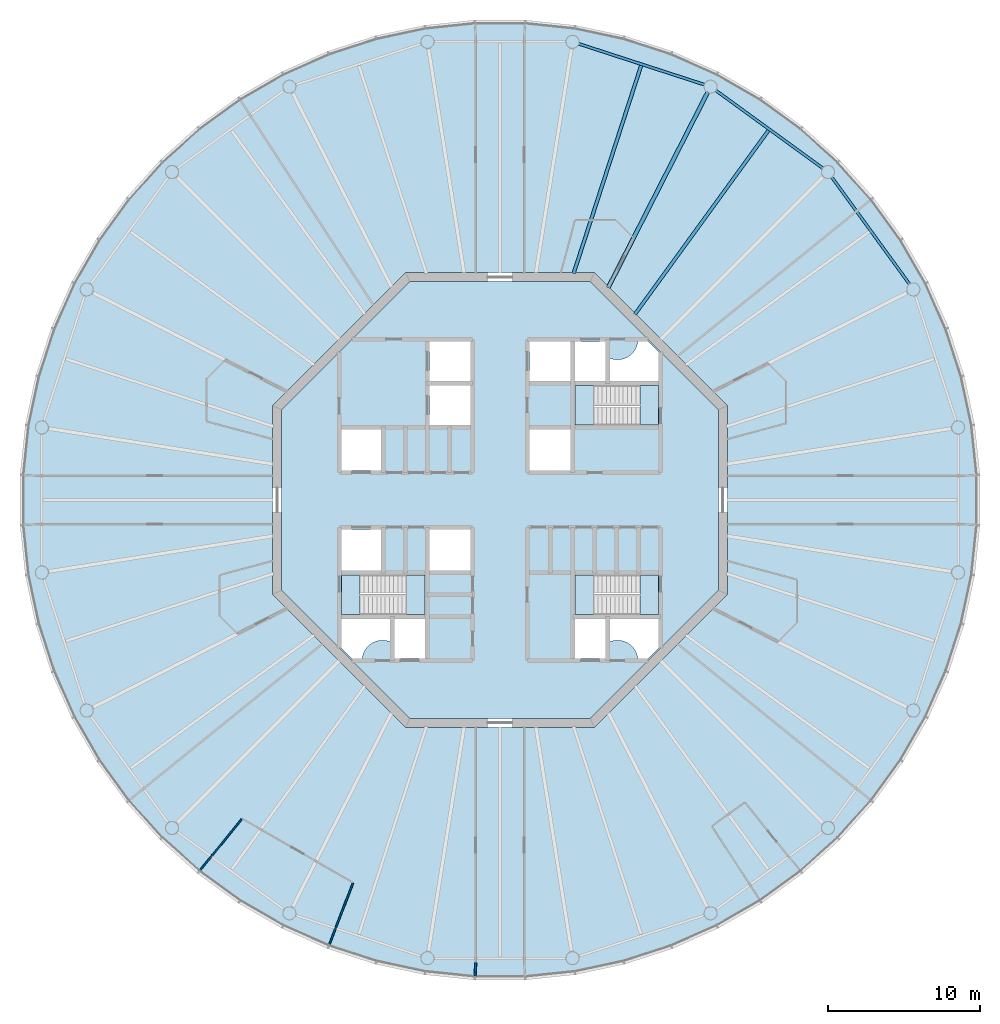
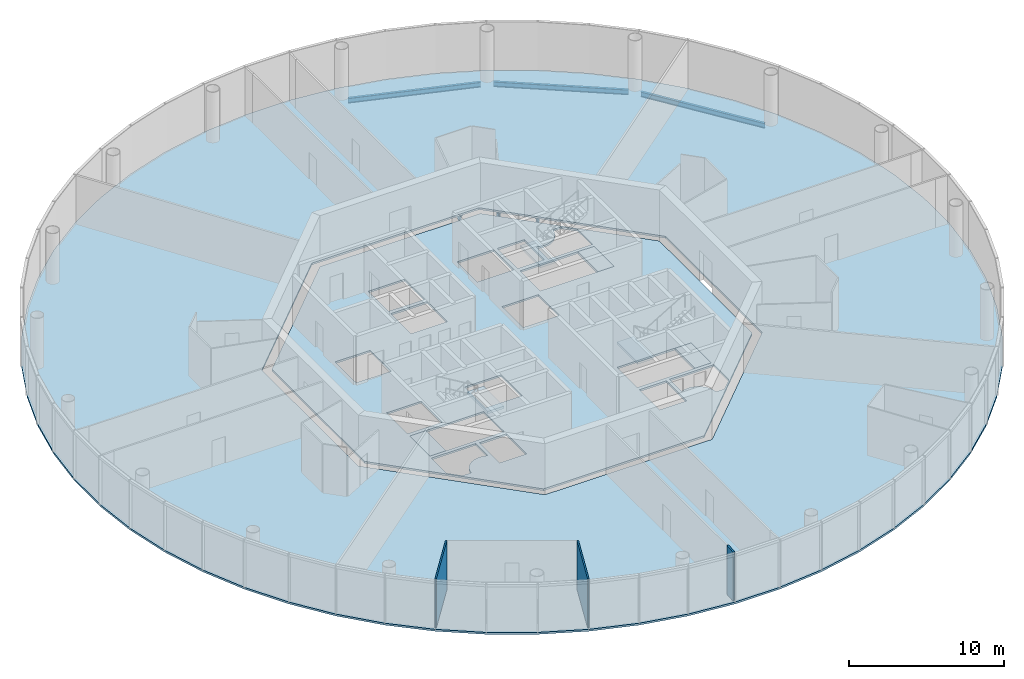
# One storey, part 2 of 13: 8 slabs, 6 beams, 3 walls, 3 elements without a shape of their own.
"""IFC4 building model written with IfcOpenShell, lengths in metres."""

from ifc_helpers import new_model, si_unit, direction, frame, frame_2d, origin, origin_2d, place, context, subcontext, project, spatial, polyline, rectangle, i_section, outline, extrude, material, layer, layer_set, material_profile, profile_set, type_object, element, aggregate, save


model = new_model("IFC4")

# Units and contexts
model_context = context("Model", 3, precision=1e-05, world=origin(), true_north=direction((0.0, 1.0)))
body_context = subcontext(model_context, "Body", "Model", "MODEL_VIEW")
ifc_project = project(units=[si_unit("LENGTHUNIT", "METRE"), si_unit("AREAUNIT", "SQUARE_METRE"), si_unit("VOLUMEUNIT", "CUBIC_METRE"), si_unit("PLANEANGLEUNIT", "RADIAN"), si_unit("MASSUNIT", "GRAM", prefix="KILO")], contexts=[model_context])

# Site, building, storey
site_placement = place(None, origin())
site = spatial("IfcSite", under=ifc_project, at=site_placement, CompositionType="ELEMENT")
building_placement = place(site_placement, origin())
building = spatial("IfcBuilding", under=site, at=building_placement, Name="Entoto Ring Tower", CompositionType="ELEMENT")
storey_placement = place(building_placement, frame((0.0, 0.0, 344.0)))
storey = spatial("IfcBuildingStorey", under=building, at=storey_placement, Name="L79", CompositionType="ELEMENT", Elevation=344.0)

# Beams
ifc_material_1 = material(Name="Steel S355", Category="steel")
ifc_material_profile_1 = material_profile(ifc_material_1, i_section(OverallWidth=0.179931640625, OverallDepth=0.39990234375, WebThickness=0.008544921875, FlangeThickness=0.013427734375, FilletRadius=0.02099609375, at=origin_2d()), Name="IPE 400")
ifc_profile_set_1 = profile_set([ifc_material_profile_1], Name="Steel S355")
beam_type_1 = type_object("IfcBeamType", Name="Edge beam IPE 400", PredefinedType="SPANDREL", material=ifc_profile_set_1)
for number, where, z_axis, x_axis, name in (
    (1, (117.017333984375, 94.232666015625, -0.35009765625), (-0.587794254874, 0.80901045354, 0.0), (-0.80901045354, -0.587794254874, 0.0), "Edge beam L79 02"),
    (2, (111.296875, 101.884765625, -0.35009765625), (-0.80901045354, 0.587794254874, 0.0), (-0.587794254874, -0.80901045354, 0.0), "Edge beam L79 03"),
):
    element("IfcBeam", number, at=place(storey_placement, frame(where, z_axis=z_axis, x_axis=x_axis)), inside=storey, type_object=beam_type_1, Name=name, PredefinedType="SPANDREL", context=body_context, shape_type="SweptSolid", body=[
        extrude(i_section(OverallWidth=0.179931640625, OverallDepth=0.39990234375, WebThickness=0.008544921875, FlangeThickness=0.013427734375, FilletRadius=0.02099609375, at=origin_2d()), origin(), (0.0, 0.0, 1.0), 8.73193359375),
    ])
beam_1_placement = place(storey_placement, frame((103.491943359375, 107.394775390625, -0.35009765625), z_axis=(-0.951052147972, 0.309030438368, 0.0), x_axis=(-0.309030438368, -0.951052147972, 0.0)))
element("IfcBeam", 3, at=beam_1_placement, inside=storey, type_object=beam_type_1, Name="Edge beam L79 04", PredefinedType="SPANDREL", context=body_context, shape_type="SweptSolid", body=[
    extrude(i_section(OverallWidth=0.179931640625, OverallDepth=0.39990234375, WebThickness=0.008544921875, FlangeThickness=0.013427734375, FilletRadius=0.02099609375, at=origin_2d()), origin(), (0.0, 0.0, 1.0), 8.732177734375),
])
ifc_material_2 = material(Name="Steel S355", Category="steel")
ifc_material_profile_2 = material_profile(ifc_material_2, i_section(OverallWidth=0.262939453125, OverallDepth=0.7529296875, WebThickness=0.011474609375, FlangeThickness=0.01708984375, FilletRadius=0.01708984375, at=origin_2d()), Name="IPE 750 x 137")
ifc_profile_set_2 = profile_set([ifc_material_profile_2], Name="Steel S355")
beam_type_2 = type_object("IfcBeamType", Name="Primary floor beam IPE 750 x 137", PredefinedType="BEAM", material=ifc_profile_set_2)
beam_2_placement = place(storey_placement, frame((97.1318359375, 93.9970703125, -0.526611328125), z_axis=(0.453991952968, 0.89100578373, 0.0), x_axis=(-0.89100578373, 0.453991952968, 0.0)))
element("IfcBeam", 4, at=beam_2_placement, inside=storey, type_object=beam_type_2, Name="Primary L79 R04", PredefinedType="BEAM", context=body_context, shape_type="SweptSolid", body=[
    extrude(i_section(OverallWidth=0.262939453125, OverallDepth=0.7529296875, WebThickness=0.011474609375, FlangeThickness=0.01708984375, FilletRadius=0.01708984375, at=origin_2d()), origin(), (0.0, 0.0, 1.0), 14.48046875),
])
ifc_material_3 = material(Name="Steel S355", Category="steel")
ifc_material_profile_3 = material_profile(ifc_material_3, i_section(OverallWidth=0.219970703125, OverallDepth=0.60009765625, WebThickness=0.011962890625, FlangeThickness=0.01904296875, FilletRadius=0.02392578125, at=origin_2d()), Name="IPE 600")
ifc_profile_set_3 = profile_set([ifc_material_profile_3], Name="Steel S355")
beam_type_3 = type_object("IfcBeamType", Name="Secondary floor beam IPE 600", PredefinedType="JOIST", material=ifc_profile_set_3)
beam_3_placement = place(storey_placement, frame((98.90478515625, 92.25634765625, -0.449951171875), z_axis=(0.587782163866, 0.809019238239, 0.0), x_axis=(-0.809019238239, 0.587782163866, 0.0)))
element("IfcBeam", 5, at=beam_3_placement, inside=storey, type_object=beam_type_3, Name="Secondary beam L79 03", PredefinedType="JOIST", context=body_context, shape_type="SweptSolid", body=[
    extrude(i_section(OverallWidth=0.219970703125, OverallDepth=0.60009765625, WebThickness=0.011962890625, FlangeThickness=0.01904296875, FilletRadius=0.02392578125, at=origin_2d()), origin(), (0.0, 0.0, 1.0), 14.983642578125),
])
beam_4_placement = place(storey_placement, frame((94.856689453125, 94.947021484375, -0.449951171875), z_axis=(0.309014850288, 0.951057212949, 0.0), x_axis=(-0.951057212949, 0.309014850288, 0.0)))
element("IfcBeam", 6, at=beam_4_placement, inside=storey, type_object=beam_type_3, Name="Secondary beam L79 04", PredefinedType="JOIST", context=body_context, shape_type="SweptSolid", body=[
    extrude(i_section(OverallWidth=0.219970703125, OverallDepth=0.60009765625, WebThickness=0.011962890625, FlangeThickness=0.01904296875, FilletRadius=0.02392578125, at=origin_2d()), origin(), (0.0, 0.0, 1.0), 14.4169921875),
])

# Slabs
ifc_material_4 = material(Name="Concrete C30/37", Category="concrete")
ifc_layer_1 = layer(ifc_material_4, 0.14990234375)
ifc_layer_set_1 = layer_set([ifc_layer_1], Name="Concrete C30/37")
slab_type_1 = type_object("IfcSlabType", Name="Composite floor slab 150 mm", PredefinedType="FLOOR", material=ifc_layer_set_1)
slab_1_placement = place(storey_placement, frame((0.0, 0.0, -0.14990234375)))
element("IfcSlab", 7, at=slab_1_placement, inside=storey, type_object=slab_type_1, Name="Floor slab L79", PredefinedType="FLOOR", context=body_context, shape_type="SweptSolid", body=[
    extrude(outline(polyline([(121.2109375, 84.943359375), (120.523193359375, 88.1787109375), (119.501220703125, 91.324462890625), (118.15576171875, 94.34619140625), (116.501953125, 97.210693359375), (114.557861328125, 99.886474609375), (112.344482421875, 102.344482421875), (109.886474609375, 104.557861328125), (107.210693359375, 106.501953125), (104.34619140625, 108.15576171875), (101.324462890625, 109.501220703125), (98.1787109375, 110.523193359375), (94.943359375, 111.2109375), (91.65380859375, 111.556640625), (88.34619140625, 111.556640625), (85.056640625, 111.2109375), (81.8212890625, 110.523193359375), (78.675537109375, 109.501220703125), (75.65380859375, 108.15576171875), (72.789306640625, 106.501953125), (70.113525390625, 104.557861328125), (67.655517578125, 102.344482421875), (65.442138671875, 99.886474609375), (63.498046875, 97.210693359375), (61.84423828125, 94.34619140625), (60.498779296875, 91.324462890625), (59.476806640625, 88.1787109375), (58.7890625, 84.943359375), (58.443359375, 81.65380859375), (58.443359375, 78.34619140625), (58.7890625, 75.056640625), (59.476806640625, 71.8212890625), (60.498779296875, 68.675537109375), (61.84423828125, 65.65380859375), (63.498046875, 62.789306640625), (65.442138671875, 60.113525390625), (67.655517578125, 57.655517578125), (70.113525390625, 55.442138671875), (72.789306640625, 53.498046875), (75.65380859375, 51.84423828125), (78.675537109375, 50.498779296875), (81.8212890625, 49.476806640625), (85.056640625, 48.7890625), (88.34619140625, 48.443359375), (91.65380859375, 48.443359375), (94.943359375, 48.7890625), (98.1787109375, 49.476806640625), (101.324462890625, 50.498779296875), (104.34619140625, 51.84423828125), (107.210693359375, 53.498046875), (109.886474609375, 55.442138671875), (112.344482421875, 57.655517578125), (114.557861328125, 60.113525390625), (116.501953125, 62.789306640625), (118.15576171875, 65.65380859375), (119.501220703125, 68.675537109375), (120.523193359375, 71.8212890625), (121.2109375, 75.056640625), (121.556640625, 78.34619140625), (121.556640625, 81.65380859375), (121.2109375, 84.943359375)]), holes=[polyline([(105.0, 73.786865234375), (105.0, 86.213134765625), (96.213134765625, 95.0), (83.786865234375, 95.0), (75.0, 86.213134765625), (75.0, 73.786865234375), (83.786865234375, 65.0), (96.213134765625, 65.0), (105.0, 73.786865234375)])]), origin(), (0.0, 0.0, 1.0), 0.14990234375),
])
ifc_material_5 = material(Name="Concrete C40/50", Category="concrete")
ifc_layer_2 = layer(ifc_material_5, 0.14990234375)
ifc_layer_set_2 = layer_set([ifc_layer_2], Name="Concrete C40/50")
slab_type_2 = type_object("IfcSlabType", Name="Core floor slab 150 mm reinforced concrete C40/50", PredefinedType="FLOOR", material=ifc_layer_set_2)
slab_2_placement = place(storey_placement, frame((0.0, 0.0, -0.14990234375)))
element("IfcSlab", 8, at=slab_2_placement, inside=storey, type_object=slab_type_2, Name="Core floor L79", PredefinedType="FLOOR", context=body_context, shape_type="SweptSolid", body=[
    extrude(outline(polyline([(104.39990234375, 74.035400390625), (104.39990234375, 85.964599609375), (95.964599609375, 94.39990234375), (84.035400390625, 94.39990234375), (75.60009765625, 85.964599609375), (75.60009765625, 74.035400390625), (84.035400390625, 65.60009765625), (95.964599609375, 65.60009765625), (104.39990234375, 74.035400390625)]), holes=[polyline([(100.449951171875, 84.949951171875), (100.449951171875, 87.550048828125), (94.949951171875, 87.550048828125), (94.949951171875, 84.949951171875), (100.449951171875, 84.949951171875)]), polyline([(85.050048828125, 72.449951171875), (85.050048828125, 75.050048828125), (79.550048828125, 75.050048828125), (79.550048828125, 72.449951171875), (85.050048828125, 72.449951171875)]), polyline([(100.449951171875, 72.449951171875), (100.449951171875, 75.050048828125), (94.949951171875, 75.050048828125), (94.949951171875, 72.449951171875), (100.449951171875, 72.449951171875)]), polyline([(94.949951171875, 90.449951171875), (94.949951171875, 87.85009765625), (96.949951171875, 87.85009765625), (96.949951171875, 90.449951171875), (94.949951171875, 90.449951171875)]), polyline([(94.949951171875, 72.14990234375), (94.949951171875, 69.550048828125), (96.949951171875, 69.550048828125), (96.949951171875, 72.14990234375), (94.949951171875, 72.14990234375)]), polyline([(83.050048828125, 72.14990234375), (83.050048828125, 69.550048828125), (85.050048828125, 69.550048828125), (85.050048828125, 72.14990234375), (83.050048828125, 72.14990234375)]), polyline([(79.550048828125, 81.949951171875), (82.14990234375, 81.949951171875), (82.14990234375, 84.64990234375), (79.550048828125, 84.64990234375), (79.550048828125, 81.949951171875)]), polyline([(79.550048828125, 75.35009765625), (82.14990234375, 75.35009765625), (82.14990234375, 78.050048828125), (79.550048828125, 78.050048828125), (79.550048828125, 75.35009765625)]), polyline([(91.949951171875, 87.85009765625), (94.64990234375, 87.85009765625), (94.64990234375, 90.449951171875), (91.949951171875, 90.449951171875), (91.949951171875, 87.85009765625)]), polyline([(91.949951171875, 81.949951171875), (94.64990234375, 81.949951171875), (94.64990234375, 84.64990234375), (91.949951171875, 84.64990234375), (91.949951171875, 81.949951171875)]), polyline([(85.35009765625, 75.35009765625), (88.050048828125, 75.35009765625), (88.050048828125, 78.050048828125), (85.35009765625, 78.050048828125), (85.35009765625, 75.35009765625)]), polyline([(85.35009765625, 84.949951171875), (88.050048828125, 84.949951171875), (88.050048828125, 87.550048828125), (85.35009765625, 87.550048828125), (85.35009765625, 84.949951171875)]), polyline([(85.35009765625, 87.85009765625), (88.050048828125, 87.85009765625), (88.050048828125, 90.449951171875), (85.35009765625, 90.449951171875), (85.35009765625, 87.85009765625)]), polyline([(97.199951171875, 89.368408203125), (97.199951171875, 87.800048828125), (100.5, 87.800048828125), (100.5, 89.723388671875), (99.723388671875, 90.5), (99.09521484375, 90.5), (99.093505859375, 90.4677734375), (99.07421875, 90.336669921875), (99.0419921875, 90.2080078125), (98.997314453125, 90.08349609375), (98.940673828125, 89.963623046875), (98.87255859375, 89.85009765625), (98.793701171875, 89.74365234375), (98.70458984375, 89.6455078125), (98.6064453125, 89.556396484375), (98.5, 89.4775390625), (98.386474609375, 89.409423828125), (98.2666015625, 89.352783203125), (98.141845703125, 89.30810546875), (98.013427734375, 89.27587890625), (97.88232421875, 89.256591796875), (97.75, 89.25), (97.61767578125, 89.256591796875), (97.486572265625, 89.27587890625), (97.358154296875, 89.30810546875), (97.2333984375, 89.352783203125), (97.199951171875, 89.368408203125)]), polyline([(80.276611328125, 69.5), (80.90478515625, 69.5), (80.906494140625, 69.5322265625), (80.92578125, 69.663330078125), (80.9580078125, 69.7919921875), (81.002685546875, 69.91650390625), (81.059326171875, 70.036376953125), (81.12744140625, 70.14990234375), (81.206298828125, 70.25634765625), (81.29541015625, 70.3544921875), (81.3935546875, 70.443603515625), (81.5, 70.5224609375), (81.613525390625, 70.590576171875), (81.7333984375, 70.647216796875), (81.858154296875, 70.69189453125), (81.986572265625, 70.72412109375), (82.11767578125, 70.743408203125), (82.25, 70.75), (82.38232421875, 70.743408203125), (82.513427734375, 70.72412109375), (82.641845703125, 70.69189453125), (82.7666015625, 70.647216796875), (82.800048828125, 70.631591796875), (82.800048828125, 72.199951171875), (79.5, 72.199951171875), (79.5, 70.276611328125), (80.276611328125, 69.5)]), polyline([(99.09521484375, 69.5), (99.723388671875, 69.5), (100.5, 70.276611328125), (100.5, 72.199951171875), (97.199951171875, 72.199951171875), (97.199951171875, 70.631591796875), (97.2333984375, 70.647216796875), (97.358154296875, 70.69189453125), (97.486572265625, 70.72412109375), (97.61767578125, 70.743408203125), (97.75, 70.75), (97.88232421875, 70.743408203125), (98.013427734375, 70.72412109375), (98.141845703125, 70.69189453125), (98.2666015625, 70.647216796875), (98.386474609375, 70.590576171875), (98.5, 70.5224609375), (98.6064453125, 70.443603515625), (98.70458984375, 70.3544921875), (98.793701171875, 70.25634765625), (98.87255859375, 70.14990234375), (98.940673828125, 70.036376953125), (98.997314453125, 69.91650390625), (99.0419921875, 69.7919921875), (99.07421875, 69.663330078125), (99.093505859375, 69.5322265625), (99.09521484375, 69.5)])]), origin(), (0.0, 0.0, 1.0), 0.14990234375),
])

# Stair, slabs
ifc_material_6 = material(Name="Concrete C40/50", Category="concrete")
stair_type = type_object("IfcStairType", Name="Exit stair 1200 mm dog-leg reinforced concrete", PredefinedType="HALF_TURN_STAIR", material=ifc_material_6)
stair_1_placement = place(storey_placement, origin())
stair_1 = element("IfcStair", 9, at=stair_1_placement, inside=storey, type_object=stair_type, Name="Exit stair 1", PredefinedType="HALF_TURN_STAIR")
ifc_material_7 = material(Name="Concrete C40/50", Category="concrete")
ifc_layer_3 = layer(ifc_material_7, 0.199951171875)
ifc_layer_set_3 = layer_set([ifc_layer_3], Name="Concrete C40/50")
slab_type_3 = type_object("IfcSlabType", Name="Stair landing 200 mm reinforced concrete", PredefinedType="LANDING", material=ifc_layer_set_3)
slab_3_placement = place(storey_placement, frame((0.0, 0.0, -0.199951171875)))
slab_3 = element("IfcSlab", 10, at=slab_3_placement, type_object=slab_type_3, Name="ST1 landing 1", PredefinedType="LANDING", context=body_context, shape_type="SweptSolid", body=[
    extrude(outline(polyline([(100.449951171875, 84.949951171875), (100.449951171875, 87.550048828125), (99.25, 87.550048828125), (99.25, 84.949951171875), (100.449951171875, 84.949951171875)])), origin(), (0.0, 0.0, 1.0), 0.199951171875),
])
slab_4_placement = place(storey_placement, frame((0.0, 0.0, 1.800048828125)))
slab_4 = element("IfcSlab", 11, at=slab_4_placement, type_object=slab_type_3, Name="ST1 landing 2", PredefinedType="LANDING", context=body_context, shape_type="SweptSolid", body=[
    extrude(outline(polyline([(94.949951171875, 84.949951171875), (96.169921875, 84.949951171875), (96.169921875, 87.550048828125), (94.949951171875, 87.550048828125), (94.949951171875, 84.949951171875)])), origin(), (0.0, 0.0, 1.0), 0.199951171875),
])
aggregate(stair_1, [slab_3, slab_4])

stair_2_placement = place(storey_placement, origin())
stair_2 = element("IfcStair", 12, at=stair_2_placement, inside=storey, type_object=stair_type, Name="Exit stair 2", PredefinedType="HALF_TURN_STAIR")
slab_5_placement = place(storey_placement, frame((0.0, 0.0, -0.199951171875)))
slab_5 = element("IfcSlab", 13, at=slab_5_placement, type_object=slab_type_3, Name="ST2 landing 1", PredefinedType="LANDING", context=body_context, shape_type="SweptSolid", body=[
    extrude(outline(polyline([(80.75, 72.449951171875), (80.75, 75.050048828125), (79.550048828125, 75.050048828125), (79.550048828125, 72.449951171875), (80.75, 72.449951171875)])), origin(), (0.0, 0.0, 1.0), 0.199951171875),
])
slab_6_placement = place(storey_placement, frame((0.0, 0.0, 1.800048828125)))
slab_6 = element("IfcSlab", 14, at=slab_6_placement, type_object=slab_type_3, Name="ST2 landing 2", PredefinedType="LANDING", context=body_context, shape_type="SweptSolid", body=[
    extrude(outline(polyline([(83.830078125, 72.449951171875), (85.050048828125, 72.449951171875), (85.050048828125, 75.050048828125), (83.830078125, 75.050048828125), (83.830078125, 72.449951171875)])), origin(), (0.0, 0.0, 1.0), 0.199951171875),
])
aggregate(stair_2, [slab_5, slab_6])

stair_3_placement = place(storey_placement, origin())
stair_3 = element("IfcStair", 15, at=stair_3_placement, inside=storey, type_object=stair_type, Name="Exit stair 3", PredefinedType="HALF_TURN_STAIR")
slab_7_placement = place(storey_placement, frame((0.0, 0.0, -0.199951171875)))
slab_7 = element("IfcSlab", 16, at=slab_7_placement, type_object=slab_type_3, Name="ST3 landing 1", PredefinedType="LANDING", context=body_context, shape_type="SweptSolid", body=[
    extrude(outline(polyline([(100.449951171875, 72.449951171875), (100.449951171875, 75.050048828125), (99.25, 75.050048828125), (99.25, 72.449951171875), (100.449951171875, 72.449951171875)])), origin(), (0.0, 0.0, 1.0), 0.199951171875),
])
slab_8_placement = place(storey_placement, frame((0.0, 0.0, 1.800048828125)))
slab_8 = element("IfcSlab", 17, at=slab_8_placement, type_object=slab_type_3, Name="ST3 landing 2", PredefinedType="LANDING", context=body_context, shape_type="SweptSolid", body=[
    extrude(outline(polyline([(94.949951171875, 72.449951171875), (96.169921875, 72.449951171875), (96.169921875, 75.050048828125), (94.949951171875, 75.050048828125), (94.949951171875, 72.449951171875)])), origin(), (0.0, 0.0, 1.0), 0.199951171875),
])
aggregate(stair_3, [slab_7, slab_8])

# Walls
ifc_material_8 = material(Name="Fire-resisting plasterboard on steel studs", Category="steel")
ifc_layer_4 = layer(ifc_material_8, 0.125)
ifc_layer_set_4 = layer_set([ifc_layer_4], Name="Fire-resisting plasterboard on steel studs")
wall_type_1 = type_object("IfcWallType", Name="Corridor wall 125 mm one-hour plasterboard on steel studs", PredefinedType="PARTITIONING", material=ifc_layer_set_4)
wall_placement = place(storey_placement, frame((88.3544921875, 48.60302734375, 0.0), z_axis=(0.0, 0.0, 1.0), x_axis=(0.052499574911, 0.998620946423, 0.0)))
element("IfcWall", 18, at=wall_placement, inside=storey, type_object=wall_type_1, Name="partition-L79-011", PredefinedType="PARTITIONING", context=body_context, shape_type="SweptSolid", body=[
    extrude(rectangle(XDim=0.864990234375, YDim=0.125, at=frame_2d((0.4326171875, 0.0))), origin(), (0.0, 0.0, 1.0), 3.85009765625),
])
ifc_material_9 = material(Name="Plasterboard on steel studs", Category="steel")
ifc_layer_5 = layer(ifc_material_9, 0.10009765625)
ifc_layer_set_5 = layer_set([ifc_layer_5], Name="Plasterboard on steel studs")
wall_type_2 = type_object("IfcWallType", Name="Partition 100 mm plasterboard on steel studs", PredefinedType="PARTITIONING", material=ifc_layer_set_5)
for number, where, z_axis, x_axis, name in (
    (19, (78.73291015625, 50.648193359375, 0.0), (0.0, 0.0, 1.0), (0.358351029591, 0.933586921283, 0.0), "partition-L79-028"),
    (20, (70.214111328125, 55.56640625, 0.0), (0.0, 0.0, 1.0), (0.629303145866, 0.777159926014, 0.0), "partition-L79-029"),
):
    element("IfcWall", number, at=place(storey_placement, frame(where, z_axis=z_axis, x_axis=x_axis)), inside=storey, type_object=wall_type_2, Name=name, PredefinedType="PARTITIONING", context=body_context, shape_type="SweptSolid", body=[
        extrude(rectangle(XDim=4.350830078125, YDim=0.10009765625, at=frame_2d((2.17529296875, 0.0))), origin(), (0.0, 0.0, 1.0), 3.85009765625),
    ])

save(model, "model.ifc")
